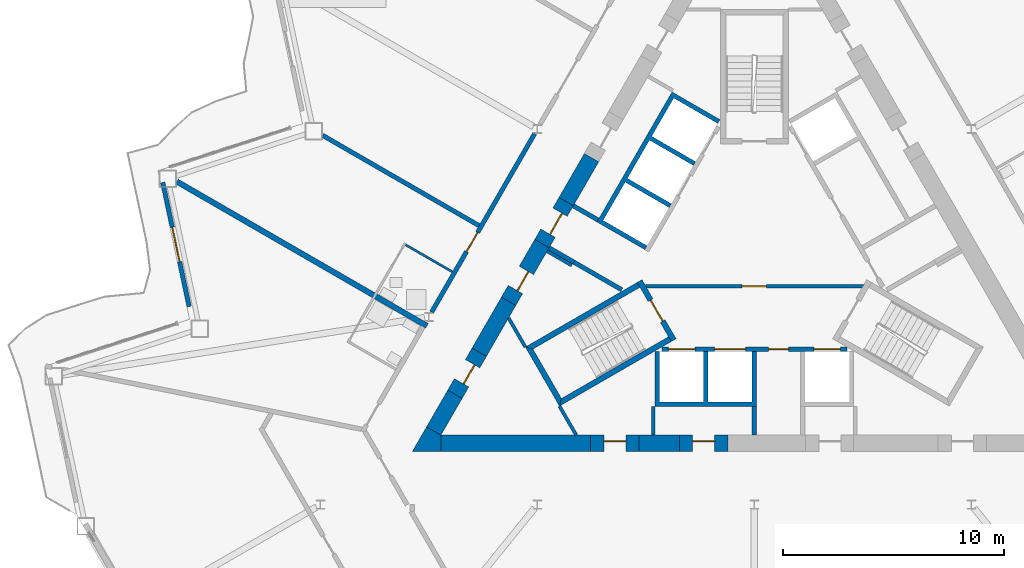
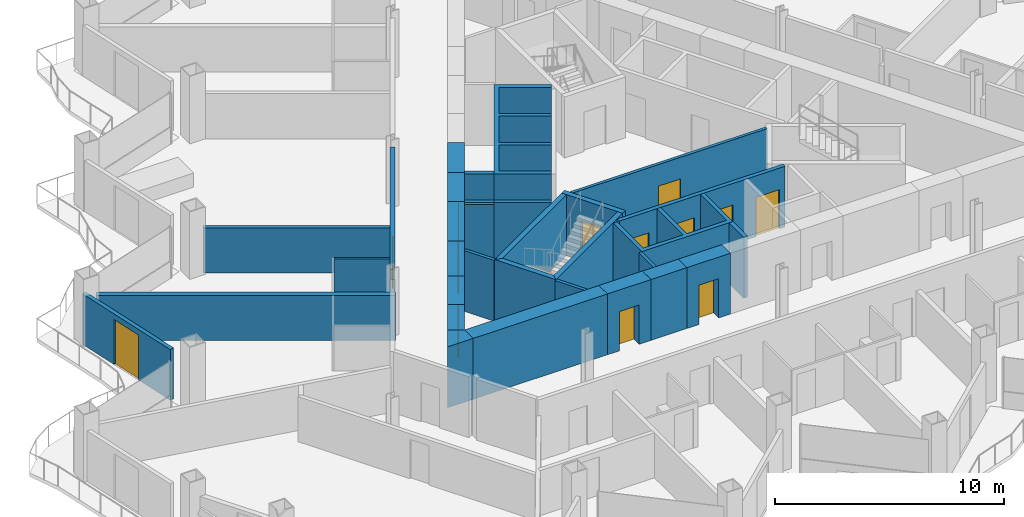
# One storey, part 11 of 23: 32 walls, 13 doors, 13 openings.
"""IFC4 building model written with IfcOpenShell, lengths in metres."""

from ifc_helpers import new_model, si_unit, direction, frame, frame_2d, origin, place, context, subcontext, project, spatial, polyline, rectangle, outline, extrude, material, layer, layer_set, type_object, element, fill, save


model = new_model("IFC4")

# Units and contexts
model_context = context("Model", 3, precision=1e-05, world=origin(), true_north=direction((0.0, 1.0)))
body_context = subcontext(model_context, "Body", "Model", "MODEL_VIEW")
ifc_project = project(units=[si_unit("LENGTHUNIT", "METRE"), si_unit("AREAUNIT", "SQUARE_METRE"), si_unit("VOLUMEUNIT", "CUBIC_METRE"), si_unit("PLANEANGLEUNIT", "RADIAN"), si_unit("MASSUNIT", "GRAM", prefix="KILO")], contexts=[model_context])

# Site, building, storey
site_placement = place(None, origin())
site = spatial("IfcSite", under=ifc_project, at=site_placement, CompositionType="ELEMENT")
building_placement = place(site_placement, origin())
building = spatial("IfcBuilding", under=site, at=building_placement, Name="Cormorant Prow Tower", CompositionType="ELEMENT")
storey_placement = place(building_placement, frame((0.0, 0.0, 176.39990234375)))
storey = spatial("IfcBuildingStorey", under=building, at=storey_placement, Name="L37", CompositionType="ELEMENT", Elevation=176.39990234375)

# Wall, opening, door
ifc_material_1 = material(Name="Gypsum board partition")
ifc_layer_1 = layer(ifc_material_1, 0.14990234375)
ifc_layer_set_1 = layer_set([ifc_layer_1], Name="Gypsum board partition")
wall_type_1 = type_object("IfcWallType", Name="Core partition 150", PredefinedType="PARTITIONING", material=ifc_layer_set_1)
wall_1_placement = place(storey_placement, frame((-4.941162109375, -1.449951171875, 0.0), z_axis=(0.0, 0.0, 1.0), x_axis=(1.0, 0.0, 0.0)))
wall_1 = element("IfcWall", 1, at=wall_1_placement, inside=storey, type_object=wall_type_1, Name="Firefighting lobby partition", PredefinedType="PARTITIONING", context=body_context, shape_type="SweptSolid", body=[
    extrude(rectangle(XDim=9.88232421875, YDim=0.14990234375, at=frame_2d((4.941162109375, 0.0))), origin(), (0.0, 0.0, 1.0), 3.25),
])
opening_1_placement = place(wall_1_placement, frame((4.39111328125, 0.0, 0.0)))
opening_1 = element("IfcOpeningElement", 2, at=opening_1_placement, cuts=wall_1, Name="Opening L37-C10", PredefinedType="OPENING", context=body_context, shape_type="SweptSolid", body=[
    extrude(rectangle(XDim=1.10009765625, YDim=2.10009765625, at=frame_2d((0.550048828125, 1.050048828125))), frame((0.0, 0.0849609375, 0.0), z_axis=(0.0, -1.0, 0.0), x_axis=(1.0, 0.0, 0.0)), (0.0, 0.0, 1.0), 0.169921875),
])
ifc_material_2 = material(Name="Painted steel", Category="steel")
door_type_1 = type_object("IfcDoorType", Name="Firefighting lobby door 1100x2100", OperationType="NOTDEFINED", PredefinedType="DOOR", material=ifc_material_2)
door_1_placement = place(opening_1_placement, origin())
door_1 = element("IfcDoor", 3, at=door_1_placement, inside=storey, type_object=door_type_1, Name="Firefighting lobby door", OperationType="SINGLE_SWING_RIGHT", OverallHeight=2.10009765625, OverallWidth=1.10009765625, PredefinedType="DOOR", context=body_context, shape_type="SweptSolid", body=[
    extrude(rectangle(XDim=1.10009765625, YDim=2.10009765625, at=frame_2d((0.550048828125, 1.050048828125))), frame((0.0, 0.02490234375, 0.0), z_axis=(0.0, -1.0, 0.0), x_axis=(1.0, 0.0, 0.0)), (0.0, 0.0, 1.0), 0.050048828125),
])
fill(opening_1, door_1)

# Walls
for number, where, z_axis, x_axis, name in (
    (4, (-4.574951171875, -6.906005859375, 0.0), (0.0, 0.0, 1.0), (0.0, -1.0, 0.0), "Service room partition"),
    (5, (-8.268310546875, -0.509033203125, 0.0), (0.0, 0.0, 1.0), (-0.866003189247, 0.500038474733, 0.0), "Service room partition"),
):
    element("IfcWall", number, at=place(storey_placement, frame(where, z_axis=z_axis, x_axis=x_axis)), inside=storey, type_object=wall_type_1, Name=name, PredefinedType="PARTITIONING", context=body_context, shape_type="SweptSolid", body=[
        extrude(rectangle(XDim=1.29296875, YDim=0.14990234375, at=frame_2d((0.646484375, 0.0))), origin(), (0.0, 0.0, 1.0), 3.25),
    ])
for number, where, z_axis, x_axis, name in (
    (6, (-8.82958984375, -6.880615234375, 0.0), (0.0, 0.0, 1.0), (0.500037110984, -0.866003976688, 0.0), "Service room partition"),
    (7, (-10.37353515625, -4.206298828125, 0.0), (0.0, 0.0, 1.0), (-0.500037110984, 0.866003976688, 0.0), "Service room partition"),
):
    element("IfcWall", number, at=place(storey_placement, frame(where, z_axis=z_axis, x_axis=x_axis)), inside=storey, type_object=wall_type_1, Name=name, PredefinedType="PARTITIONING", context=body_context, shape_type="SweptSolid", body=[
        extrude(rectangle(XDim=1.5224609375, YDim=0.14990234375, at=frame_2d((0.76123046875, 0.0))), origin(), (0.0, 0.0, 1.0), 3.25),
    ])
ifc_material_3 = material(Name="Concrete 8000 psi", Category="concrete")
ifc_layer_2 = layer(ifc_material_3, 0.75)
ifc_layer_set_2 = layer_set([ifc_layer_2], Name="Concrete 8000 psi")
wall_type_2 = type_object("IfcWallType", Name="Core shear wall 750", PredefinedType="SHEAR", material=ifc_layer_set_2)
wall_2_placement = place(storey_placement, frame((-14.200927734375, -8.573974609375, 0.0), z_axis=(0.0, 0.0, 1.0), x_axis=(1.0, 0.0, 0.0)))
element("IfcWall", 8, at=wall_2_placement, inside=storey, type_object=wall_type_2, Name="Core wall", PredefinedType="SHEAR", context=body_context, shape_type="SweptSolid", body=[
    extrude(rectangle(XDim=6.784912109375, YDim=0.75, at=frame_2d((3.392578125, 0.0))), origin(), (0.0, 0.0, 1.0), 3.25),
])
wall_3_placement = place(storey_placement, frame((-5.2158203125, -8.573974609375, 0.0), z_axis=(0.0, 0.0, 1.0), x_axis=(1.0, 0.0, 0.0)))
element("IfcWall", 9, at=wall_3_placement, inside=storey, type_object=wall_type_2, Name="Core wall", PredefinedType="SHEAR", context=body_context, shape_type="SweptSolid", body=[
    extrude(rectangle(XDim=1.81591796875, YDim=0.75, at=frame_2d((0.907958984375, 0.0))), origin(), (0.0, 0.0, 1.0), 3.25),
])
wall_4_placement = place(storey_placement, frame((-11.13330078125, -2.135498046875, 0.0), z_axis=(0.0, 0.0, 1.0), x_axis=(-0.499936812382, -0.866061882099, 0.0)))
element("IfcWall", 10, at=wall_4_placement, inside=storey, type_object=wall_type_2, Name="Core wall", PredefinedType="SHEAR", context=body_context, shape_type="SweptSolid", body=[
    extrude(rectangle(XDim=2.661865234375, YDim=0.75, at=frame_2d((1.3310546875, 0.0))), origin(), (0.0, 0.0, 1.0), 3.25),
])
wall_5_placement = place(storey_placement, frame((-7.375244140625, 4.37353515625, 0.0), z_axis=(0.0, 0.0, 1.0), x_axis=(-0.499952165731, -0.866053019151, 0.0)))
element("IfcWall", 11, at=wall_5_placement, inside=storey, type_object=wall_type_2, Name="Core wall", PredefinedType="SHEAR", context=body_context, shape_type="SweptSolid", body=[
    extrude(rectangle(XDim=2.300048828125, YDim=0.75, at=frame_2d((1.14990234375, 0.0))), origin(), (0.0, 0.0, 1.0), 3.25),
])
wall_6_placement = place(storey_placement, frame((-13.564208984375, -6.34619140625, 0.0), z_axis=(0.0, 0.0, 1.0), x_axis=(-0.499989888488, -0.86603124159, 0.0)))
element("IfcWall", 12, at=wall_6_placement, inside=storey, type_object=wall_type_2, Name="Core wall", PredefinedType="SHEAR", context=body_context, shape_type="SweptSolid", body=[
    extrude(rectangle(XDim=1.9228515625, YDim=0.75, at=frame_2d((0.96142578125, 0.0))), origin(), (0.0, 0.0, 1.0), 3.25),
])
wall_7_placement = place(storey_placement, origin())
element("IfcWall", 13, at=wall_7_placement, inside=storey, type_object=wall_type_2, Name="Core wall corner", PredefinedType="SHEAR", context=body_context, shape_type="SweptSolid", body=[
    extrude(outline(polyline([(-14.8505859375, -7.823974609375), (-14.200927734375, -8.198974609375), (-14.200927734375, -8.948974609375), (-15.5, -8.948974609375), (-14.8505859375, -7.823974609375)])), origin(), (0.0, 0.0, 1.0), 3.25),
])

# Wall, opening, door
wall_8_placement = place(storey_placement, frame((-3.39990234375, -8.573974609375, 0.0), z_axis=(0.0, 0.0, 1.0), x_axis=(1.0, 0.0, 0.0)))
wall_8 = element("IfcWall", 14, at=wall_8_placement, inside=storey, type_object=wall_type_2, Name="Core wall door panel", PredefinedType="SHEAR", context=body_context, shape_type="SweptSolid", body=[
    extrude(rectangle(XDim=2.199951171875, YDim=0.75, at=frame_2d((1.10009765625, 0.0))), origin(), (0.0, 0.0, 1.0), 3.25),
])
opening_2_placement = place(wall_8_placement, frame((0.60009765625, 0.0, 0.0)))
opening_2 = element("IfcOpeningElement", 15, at=opening_2_placement, cuts=wall_8, Name="Opening L37-C14", PredefinedType="OPENING", context=body_context, shape_type="SweptSolid", body=[
    extrude(rectangle(XDim=1.0, YDim=2.10009765625, at=frame_2d((0.5, 1.050048828125))), frame((0.0, 0.385009765625, 0.0), z_axis=(0.0, -1.0, 0.0), x_axis=(1.0, 0.0, 0.0)), (0.0, 0.0, 1.0), 0.77001953125),
])
ifc_material_4 = material(Name="Painted steel", Category="steel")
door_type_2 = type_object("IfcDoorType", Name="Service door 1000x2100", OperationType="NOTDEFINED", PredefinedType="DOOR", material=ifc_material_4)
door_2_placement = place(opening_2_placement, origin())
door_2 = element("IfcDoor", 16, at=door_2_placement, inside=storey, type_object=door_type_2, Name="Core door, Electrical room", OperationType="SINGLE_SWING_LEFT", OverallHeight=2.10009765625, OverallWidth=1.0, PredefinedType="DOOR", context=body_context, shape_type="SweptSolid", body=[
    extrude(rectangle(XDim=1.0, YDim=2.10009765625, at=frame_2d((0.5, 1.050048828125))), frame((0.0, 0.1298828125, 0.0), z_axis=(0.0, -1.0, 0.0), x_axis=(1.0, 0.0, 0.0)), (0.0, 0.0, 1.0), 0.050048828125),
])
fill(opening_2, door_2)

wall_9_placement = place(storey_placement, frame((-12.46435546875, -4.44091796875, 0.0), z_axis=(0.0, 0.0, 1.0), x_axis=(-0.499994660107, -0.866028486751, 0.0)))
wall_9 = element("IfcWall", 17, at=wall_9_placement, inside=storey, type_object=wall_type_2, Name="Core wall door panel", PredefinedType="SHEAR", context=body_context, shape_type="SweptSolid", body=[
    extrude(rectangle(XDim=2.19970703125, YDim=0.75, at=frame_2d((1.099853515625, 0.0))), origin(), (0.0, 0.0, 1.0), 3.25),
])
opening_3_placement = place(wall_9_placement, frame((0.60009765625, 0.0, 0.0)))
opening_3 = element("IfcOpeningElement", 18, at=opening_3_placement, cuts=wall_9, Name="Opening L37-C16", PredefinedType="OPENING", context=body_context, shape_type="SweptSolid", body=[
    extrude(rectangle(XDim=1.0, YDim=2.10009765625, at=frame_2d((0.5, 1.050048828125))), frame((0.0, 0.385009765625, 0.0), z_axis=(0.0, -1.0, 0.0), x_axis=(1.0, 0.0, 0.0)), (0.0, 0.0, 1.0), 0.77001953125),
])
door_3_placement = place(opening_3_placement, origin())
door_3 = element("IfcDoor", 19, at=door_3_placement, inside=storey, type_object=door_type_2, Name="Core door, Mechanical riser room", OperationType="SINGLE_SWING_LEFT", OverallHeight=2.10009765625, OverallWidth=1.0, PredefinedType="DOOR", context=body_context, shape_type="SweptSolid", body=[
    extrude(rectangle(XDim=1.0, YDim=2.10009765625, at=frame_2d((0.5, 1.050048828125))), frame((0.0, 0.1298828125, 0.0), z_axis=(0.0, -1.0, 0.0), x_axis=(1.0, 0.0, 0.0)), (0.0, 0.0, 1.0), 0.050048828125),
])
fill(opening_3, door_3)

wall_10_placement = place(storey_placement, frame((-9.625244140625, 0.4765625, 0.0), z_axis=(0.0, 0.0, 1.0), x_axis=(-0.499995718215, -0.86602787586, 0.0)))
wall_10 = element("IfcWall", 20, at=wall_10_placement, inside=storey, type_object=wall_type_2, Name="Core wall door panel", PredefinedType="SHEAR", context=body_context, shape_type="SweptSolid", body=[
    extrude(rectangle(XDim=3.01611328125, YDim=0.75, at=frame_2d((1.508056640625, 0.0))), origin(), (0.0, 0.0, 1.0), 3.25),
])
opening_4_placement = place(wall_10_placement, frame((1.39990234375, 0.0, 0.0)))
opening_4 = element("IfcOpeningElement", 21, at=opening_4_placement, cuts=wall_10, Name="Opening L37-C21", PredefinedType="OPENING", context=body_context, shape_type="SweptSolid", body=[
    extrude(rectangle(XDim=1.0, YDim=2.10009765625, at=frame_2d((0.5, 1.050048828125))), frame((0.0, 0.385009765625, 0.0), z_axis=(0.0, -1.0, 0.0), x_axis=(1.0, 0.0, 0.0)), (0.0, 0.0, 1.0), 0.77001953125),
])
door_4_placement = place(opening_4_placement, origin())
door_4 = element("IfcDoor", 22, at=door_4_placement, inside=storey, type_object=door_type_2, Name="Core door, Mechanical riser room", OperationType="SINGLE_SWING_LEFT", OverallHeight=2.10009765625, OverallWidth=1.0, PredefinedType="DOOR", context=body_context, shape_type="SweptSolid", body=[
    extrude(rectangle(XDim=1.0, YDim=2.10009765625, at=frame_2d((0.5, 1.050048828125))), frame((0.0, 0.1298828125, 0.0), z_axis=(0.0, -1.0, 0.0), x_axis=(1.0, 0.0, 0.0)), (0.0, 0.0, 1.0), 0.050048828125),
])
fill(opening_4, door_4)

wall_11_placement = place(storey_placement, frame((-7.416015625, -8.573974609375, 0.0), z_axis=(0.0, 0.0, 1.0), x_axis=(1.0, 0.0, 0.0)))
wall_11 = element("IfcWall", 23, at=wall_11_placement, inside=storey, type_object=wall_type_2, Name="Core wall door panel", PredefinedType="SHEAR", context=body_context, shape_type="SweptSolid", body=[
    extrude(rectangle(XDim=2.2001953125, YDim=0.75, at=frame_2d((1.10009765625, 0.0))), origin(), (0.0, 0.0, 1.0), 3.25),
])
opening_5_placement = place(wall_11_placement, frame((0.60009765625, 0.0, 0.0)))
opening_5 = element("IfcOpeningElement", 24, at=opening_5_placement, cuts=wall_11, Name="Opening L37-C22", PredefinedType="OPENING", context=body_context, shape_type="SweptSolid", body=[
    extrude(rectangle(XDim=1.0, YDim=2.10009765625, at=frame_2d((0.5, 1.050048828125))), frame((0.0, 0.385009765625, 0.0), z_axis=(0.0, -1.0, 0.0), x_axis=(1.0, 0.0, 0.0)), (0.0, 0.0, 1.0), 0.77001953125),
])
door_5_placement = place(opening_5_placement, origin())
door_5 = element("IfcDoor", 25, at=door_5_placement, inside=storey, type_object=door_type_2, Name="Core door, Mechanical riser room", OperationType="SINGLE_SWING_LEFT", OverallHeight=2.10009765625, OverallWidth=1.0, PredefinedType="DOOR", context=body_context, shape_type="SweptSolid", body=[
    extrude(rectangle(XDim=1.0, YDim=2.10009765625, at=frame_2d((0.5, 1.050048828125))), frame((0.0, 0.1298828125, 0.0), z_axis=(0.0, -1.0, 0.0), x_axis=(1.0, 0.0, 0.0)), (0.0, 0.0, 1.0), 0.050048828125),
])
fill(opening_5, door_5)

wall_12_placement = place(storey_placement, frame((-8.525146484375, 2.381591796875, 0.0), z_axis=(0.0, 0.0, 1.0), x_axis=(-0.500077893725, -0.86598042715, 0.0)))
wall_12 = element("IfcWall", 26, at=wall_12_placement, inside=storey, type_object=wall_type_2, Name="Core wall door panel", PredefinedType="SHEAR", context=body_context, shape_type="SweptSolid", body=[
    extrude(rectangle(XDim=2.199951171875, YDim=0.75, at=frame_2d((1.10009765625, 0.0))), origin(), (0.0, 0.0, 1.0), 3.25),
])
opening_6_placement = place(wall_12_placement, frame((0.550048828125, 0.0, 0.0)))
opening_6 = element("IfcOpeningElement", 27, at=opening_6_placement, cuts=wall_12, Name="Opening L37-C25", PredefinedType="OPENING", context=body_context, shape_type="SweptSolid", body=[
    extrude(rectangle(XDim=1.10009765625, YDim=2.10009765625, at=frame_2d((0.550048828125, 1.050048828125))), frame((0.0, 0.385009765625, 0.0), z_axis=(0.0, -1.0, 0.0), x_axis=(1.0, 0.0, 0.0)), (0.0, 0.0, 1.0), 0.77001953125),
])
ifc_material_5 = material(Name="Painted steel", Category="steel")
door_type_3 = type_object("IfcDoorType", Name="Core door 1100x2100", OperationType="NOTDEFINED", PredefinedType="DOOR", material=ifc_material_5)
door_6_placement = place(opening_6_placement, origin())
door_6 = element("IfcDoor", 28, at=door_6_placement, inside=storey, type_object=door_type_3, Name="Core door, lift lobby", OperationType="SINGLE_SWING_RIGHT", OverallHeight=2.10009765625, OverallWidth=1.10009765625, PredefinedType="DOOR", context=body_context, shape_type="SweptSolid", body=[
    extrude(rectangle(XDim=1.10009765625, YDim=2.10009765625, at=frame_2d((0.550048828125, 1.050048828125))), frame((0.0, 0.1298828125, 0.0), z_axis=(0.0, -1.0, 0.0), x_axis=(1.0, 0.0, 0.0)), (0.0, 0.0, 1.0), 0.050048828125),
])
fill(opening_6, door_6)

ifc_material_6 = material(Name="Gypsum board corridor wall")
ifc_layer_3 = layer(ifc_material_6, 0.199951171875)
ifc_layer_set_3 = layer_set([ifc_layer_3], Name="Gypsum board corridor wall")
wall_type_3 = type_object("IfcWallType", Name="Corridor wall 200", PredefinedType="PARTITIONING", material=ifc_layer_set_3)
wall_13_placement = place(storey_placement, frame((-14.619384765625, -2.62353515625, 0.0), z_axis=(0.0, 0.0, 1.0), x_axis=(0.50000393355, 0.866023132736, 0.0)))
wall_13 = element("IfcWall", 29, at=wall_13_placement, inside=storey, type_object=wall_type_3, Name="Corridor wall", PredefinedType="PARTITIONING", context=body_context, shape_type="SweptSolid", body=[
    extrude(rectangle(XDim=9.3349609375, YDim=0.199951171875, at=frame_2d((4.66748046875, 0.0))), origin(), (0.0, 0.0, 1.0), 3.25),
])
opening_7_placement = place(wall_13_placement, frame((3.1630859375, 0.0, 0.0)))
opening_7 = element("IfcOpeningElement", 30, at=opening_7_placement, cuts=wall_13, Name="Opening L37-F29", PredefinedType="OPENING", context=body_context, shape_type="SweptSolid", body=[
    extrude(rectangle(XDim=1.0, YDim=2.10009765625, at=frame_2d((0.5, 1.050048828125))), frame((0.0, 0.10986328125, 0.0), z_axis=(0.0, -1.0, 0.0), x_axis=(1.0, 0.0, 0.0)), (0.0, 0.0, 1.0), 0.219970703125),
])
ifc_material_7 = material(Name="Timber door leaf", Category="wood")
door_type_4 = type_object("IfcDoorType", Name="Flat or room entrance door 1000x2100", OperationType="NOTDEFINED", PredefinedType="DOOR", material=ifc_material_7)
door_7_placement = place(opening_7_placement, origin())
door_7 = element("IfcDoor", 31, at=door_7_placement, inside=storey, type_object=door_type_4, Name="Guest room door", OperationType="SINGLE_SWING_RIGHT", OverallHeight=2.10009765625, OverallWidth=1.0, PredefinedType="DOOR", context=body_context, shape_type="SweptSolid", body=[
    extrude(rectangle(XDim=1.0, YDim=2.10009765625, at=frame_2d((0.5, 1.050048828125))), frame((0.0, 0.02490234375, 0.0), z_axis=(0.0, -1.0, 0.0), x_axis=(1.0, 0.0, 0.0)), (0.0, 0.0, 1.0), 0.050048828125),
])
fill(opening_7, door_7)

# Walls
ifc_material_8 = material(Name="Gypsum board demising wall")
ifc_layer_4 = layer(ifc_material_8, 0.199951171875)
ifc_layer_set_4 = layer_set([ifc_layer_4], Name="Gypsum board demising wall")
wall_type_4 = type_object("IfcWallType", Name="Demising wall 200", PredefinedType="PARTITIONING", material=ifc_layer_set_4)
wall_14_placement = place(storey_placement, frame((-19.5546875, 5.3828125, 0.0), z_axis=(0.0, 0.0, 1.0), x_axis=(0.866027979776, -0.499995538225, 0.0)))
element("IfcWall", 32, at=wall_14_placement, inside=storey, type_object=wall_type_4, Name="Demising wall", PredefinedType="PARTITIONING", context=body_context, shape_type="SweptSolid", body=[
    extrude(rectangle(XDim=8.17724609375, YDim=0.199951171875, at=frame_2d((4.088623046875, 0.0))), origin(), (0.0, 0.0, 1.0), 2.404296875),
])
ifc_material_9 = material(Name="Gypsum board partition")
ifc_layer_5 = layer(ifc_material_9, 0.10009765625)
ifc_layer_set_5 = layer_set([ifc_layer_5], Name="Gypsum board partition")
wall_type_5 = type_object("IfcWallType", Name="Internal partition 100", PredefinedType="PARTITIONING", material=ifc_layer_set_5)
wall_15_placement = place(storey_placement, frame((-15.802490234375, 0.427001953125, 0.0), z_axis=(0.0, 0.0, 1.0), x_axis=(0.866032905446, -0.499987006516, 0.0)))
element("IfcWall", 33, at=wall_15_placement, inside=storey, type_object=wall_type_5, Name="Internal partition", PredefinedType="PARTITIONING", context=body_context, shape_type="SweptSolid", body=[
    extrude(rectangle(XDim=2.44970703125, YDim=0.10009765625, at=frame_2d((1.224853515625, 0.0))), origin(), (0.0, 0.0, 1.0), 2.404296875),
])

# Wall, openings, doors
ifc_material_10 = material(Name="Concrete 5000 psi", Category="concrete")
ifc_layer_6 = layer(ifc_material_10, 0.199951171875)
ifc_layer_set_6 = layer_set([ifc_layer_6], Name="Concrete 5000 psi")
wall_type_6 = type_object("IfcWallType", Name="Lift lobby wall 200", PredefinedType="SOLIDWALL", material=ifc_layer_set_6)
wall_16_placement = place(storey_placement, frame((-4.1865234375, -4.300048828125, 0.0), z_axis=(0.0, 0.0, 1.0), x_axis=(1.0, 0.0, 0.0)))
wall_16 = element("IfcWall", 34, at=wall_16_placement, inside=storey, type_object=wall_type_6, Name="Lift lobby wall, S block", PredefinedType="SOLIDWALL", context=body_context, shape_type="SweptSolid", body=[
    extrude(rectangle(XDim=8.373046875, YDim=0.199951171875, at=frame_2d((4.1865234375, 0.0))), origin(), (0.0, 0.0, 1.0), 3.25),
])
opening_8_placement = place(wall_16_placement, frame((0.28662109375, 0.0, 0.0)))
opening_8 = element("IfcOpeningElement", 35, at=opening_8_placement, cuts=wall_16, Name="Opening L37-C01", PredefinedType="OPENING", context=body_context, shape_type="SweptSolid", body=[
    extrude(rectangle(XDim=1.199951171875, YDim=2.10009765625, at=frame_2d((0.60009765625, 1.050048828125))), frame((0.0, 0.10986328125, 0.0), z_axis=(0.0, -1.0, 0.0), x_axis=(1.0, 0.0, 0.0)), (0.0, 0.0, 1.0), 0.219970703125),
])
opening_9_placement = place(wall_16_placement, frame((2.38671875, 0.0, 0.0)))
opening_9 = element("IfcOpeningElement", 36, at=opening_9_placement, cuts=wall_16, Name="Opening L37-C02", PredefinedType="OPENING", context=body_context, shape_type="SweptSolid", body=[
    extrude(rectangle(XDim=1.39990234375, YDim=2.10009765625, at=frame_2d((0.699951171875, 1.050048828125))), frame((0.0, 0.10986328125, 0.0), z_axis=(0.0, -1.0, 0.0), x_axis=(1.0, 0.0, 0.0)), (0.0, 0.0, 1.0), 0.219970703125),
])
opening_10_placement = place(wall_16_placement, frame((4.836669921875, 0.0, 0.0)))
opening_10 = element("IfcOpeningElement", 37, at=opening_10_placement, cuts=wall_16, Name="Opening L37-C03", PredefinedType="OPENING", context=body_context, shape_type="SweptSolid", body=[
    extrude(rectangle(XDim=0.89990234375, YDim=2.10009765625, at=frame_2d((0.449951171875, 1.050048828125))), frame((0.0, 0.10986328125, 0.0), z_axis=(0.0, -1.0, 0.0), x_axis=(1.0, 0.0, 0.0)), (0.0, 0.0, 1.0), 0.219970703125),
])
opening_11_placement = place(wall_16_placement, frame((6.88671875, 0.0, 0.0)))
opening_11 = element("IfcOpeningElement", 38, at=opening_11_placement, cuts=wall_16, Name="Opening L37-C04", PredefinedType="OPENING", context=body_context, shape_type="SweptSolid", body=[
    extrude(rectangle(XDim=1.199951171875, YDim=2.10009765625, at=frame_2d((0.60009765625, 1.050048828125))), frame((0.0, 0.10986328125, 0.0), z_axis=(0.0, -1.0, 0.0), x_axis=(1.0, 0.0, 0.0)), (0.0, 0.0, 1.0), 0.219970703125),
])
ifc_material_11 = material(Name="Painted steel", Category="steel")
door_type_5 = type_object("IfcDoorType", Name="Firefighting lift landing door 1200x2100", OperationType="SLIDING_TO_LEFT", PredefinedType="DOOR", material=ifc_material_11)
door_8_placement = place(opening_8_placement, origin())
door_8 = element("IfcDoor", 39, at=door_8_placement, inside=storey, type_object=door_type_5, Name="Landing door FL1", OperationType="SLIDING_TO_LEFT", OverallHeight=2.10009765625, OverallWidth=1.199951171875, PredefinedType="DOOR", context=body_context, shape_type="SweptSolid", body=[
    extrude(rectangle(XDim=1.199951171875, YDim=2.10009765625, at=frame_2d((0.60009765625, 1.050048828125))), frame((0.0, 0.02490234375, 0.0), z_axis=(0.0, -1.0, 0.0), x_axis=(1.0, 0.0, 0.0)), (0.0, 0.0, 1.0), 0.050048828125),
])
fill(opening_8, door_8)
door_9_placement = place(opening_11_placement, origin())
door_9 = element("IfcDoor", 40, at=door_9_placement, inside=storey, type_object=door_type_5, Name="Landing door FL2", OperationType="SLIDING_TO_LEFT", OverallHeight=2.10009765625, OverallWidth=1.199951171875, PredefinedType="DOOR", context=body_context, shape_type="SweptSolid", body=[
    extrude(rectangle(XDim=1.199951171875, YDim=2.10009765625, at=frame_2d((0.60009765625, 1.050048828125))), frame((0.0, 0.02490234375, 0.0), z_axis=(0.0, -1.0, 0.0), x_axis=(1.0, 0.0, 0.0)), (0.0, 0.0, 1.0), 0.050048828125),
])
fill(opening_11, door_9)
ifc_material_12 = material(Name="Painted steel", Category="steel")
door_type_6 = type_object("IfcDoorType", Name="Service door 900x2100", OperationType="NOTDEFINED", PredefinedType="DOOR", material=ifc_material_12)
door_10_placement = place(opening_10_placement, origin())
door_10 = element("IfcDoor", 41, at=door_10_placement, inside=storey, type_object=door_type_6, Name="Service door, Electrical room", OperationType="SINGLE_SWING_RIGHT", OverallHeight=2.10009765625, OverallWidth=0.89990234375, PredefinedType="DOOR", context=body_context, shape_type="SweptSolid", body=[
    extrude(rectangle(XDim=0.89990234375, YDim=2.10009765625, at=frame_2d((0.449951171875, 1.050048828125))), frame((0.0, 0.02490234375, 0.0), z_axis=(0.0, -1.0, 0.0), x_axis=(1.0, 0.0, 0.0)), (0.0, 0.0, 1.0), 0.050048828125),
])
fill(opening_10, door_10)
ifc_material_13 = material(Name="Painted steel", Category="steel")
door_type_7 = type_object("IfcDoorType", Name="Service lift landing door 1400x2100", OperationType="SLIDING_TO_LEFT", PredefinedType="DOOR", material=ifc_material_13)
door_11_placement = place(opening_9_placement, origin())
door_11 = element("IfcDoor", 42, at=door_11_placement, inside=storey, type_object=door_type_7, Name="Landing door SL1", OperationType="SLIDING_TO_LEFT", OverallHeight=2.10009765625, OverallWidth=1.39990234375, PredefinedType="DOOR", context=body_context, shape_type="SweptSolid", body=[
    extrude(rectangle(XDim=1.39990234375, YDim=2.10009765625, at=frame_2d((0.699951171875, 1.050048828125))), frame((0.0, 0.02490234375, 0.0), z_axis=(0.0, -1.0, 0.0), x_axis=(1.0, 0.0, 0.0)), (0.0, 0.0, 1.0), 0.050048828125),
])
fill(opening_9, door_11)

# Walls
ifc_material_14 = material(Name="Concrete 8000 psi", Category="concrete")
ifc_layer_7 = layer(ifc_material_14, 0.199951171875)
ifc_layer_set_7 = layer_set([ifc_layer_7], Name="Concrete 8000 psi")
wall_type_7 = type_object("IfcWallType", Name="Lift shaft wall 200", PredefinedType="SHEAR", material=ifc_layer_set_7)
wall_17_placement = place(storey_placement, origin())
element("IfcWall", 43, at=wall_17_placement, inside=storey, type_object=wall_type_7, Name="Lift shaft walls, S block", PredefinedType="SHEAR", context=body_context, shape_type="SweptSolid", body=[
    extrude(outline(polyline([(0.10009765625, -4.39990234375), (0.10009765625, -6.906005859375), (-4.5, -6.906005859375), (-4.5, -4.39990234375), (-4.300048828125, -4.39990234375), (-4.300048828125, -6.699951171875), (-2.300048828125, -6.699951171875), (-2.300048828125, -4.39990234375), (-2.10009765625, -4.39990234375), (-2.10009765625, -6.699951171875), (-0.10009765625, -6.699951171875), (-0.10009765625, -4.39990234375), (0.10009765625, -4.39990234375)])), origin(), (0.0, 0.0, 1.0), 3.25),
])
wall_18_placement = place(storey_placement, frame((0.0, -6.906005859375, 0.0), z_axis=(0.0, 0.0, 1.0), x_axis=(0.0, -1.0, 0.0)))
element("IfcWall", 44, at=wall_18_placement, inside=storey, type_object=wall_type_7, Name="Store side wall", PredefinedType="SHEAR", context=body_context, shape_type="SweptSolid", body=[
    extrude(rectangle(XDim=1.29296875, YDim=0.199951171875, at=frame_2d((0.646484375, 0.0))), origin(), (0.0, 0.0, 1.0), 3.25),
])
wall_19_placement = place(storey_placement, origin())
element("IfcWall", 45, at=wall_19_placement, inside=storey, type_object=wall_type_7, Name="Lift shaft walls, WNW block", PredefinedType="SHEAR", context=body_context, shape_type="SweptSolid", body=[
    extrude(outline(polyline([(-6.060546875, -1.697021484375), (-8.230712890625, -0.444091796875), (-8.130859375, -0.27099609375), (-5.96044921875, -1.52392578125), (-6.060546875, -1.697021484375)])), origin(), (0.0, 0.0, 1.0), 3.25),
])
wall_20_placement = place(storey_placement, origin())
element("IfcWall", 46, at=wall_20_placement, inside=storey, type_object=wall_type_7, Name="Lift shaft walls, WNW block", PredefinedType="SHEAR", context=body_context, shape_type="SweptSolid", body=[
    extrude(outline(polyline([(-4.96044921875, 0.2080078125), (-7.130859375, 1.461181640625), (-3.730712890625, 7.35009765625), (-1.560546875, 6.09716796875), (-1.660400390625, 5.923828125), (-3.65234375, 7.073974609375), (-4.65234375, 5.341796875), (-2.660400390625, 4.19189453125), (-2.760498046875, 4.018798828125), (-4.75244140625, 5.168701171875), (-5.75244140625, 3.4365234375), (-3.760498046875, 2.28662109375), (-3.860595703125, 2.11328125), (-5.852294921875, 3.263427734375), (-6.852294921875, 1.53125), (-4.860595703125, 0.38134765625), (-4.96044921875, 0.2080078125)])), origin(), (0.0, 0.0, 1.0), 3.25),
])
for number, where, z_axis, x_axis, name in (
    (47, (-7.080810546875, 1.547607421875, 0.0), (0.0, 0.0, 1.0), (-0.866003189247, 0.500038474733, 0.0), "Lobby passage wall"),
    (48, (-8.180908203125, -0.357421875, 0.0), (0.0, 0.0, 1.0), (-0.866003189247, 0.500038474733, 0.0), "Lobby passage wall"),
):
    element("IfcWall", number, at=place(storey_placement, frame(where, z_axis=z_axis, x_axis=x_axis)), inside=storey, type_object=wall_type_7, Name=name, PredefinedType="SHEAR", context=body_context, shape_type="SweptSolid", body=[
        extrude(rectangle(XDim=1.29296875, YDim=0.199951171875, at=frame_2d((0.646484375, 0.0))), origin(), (0.0, 0.0, 1.0), 3.25),
    ])
ifc_material_15 = material(Name="Concrete 8000 psi", Category="concrete")
ifc_layer_8 = layer(ifc_material_15, 0.25)
ifc_layer_set_8 = layer_set([ifc_layer_8], Name="Concrete 8000 psi")
wall_type_8 = type_object("IfcWallType", Name="Stair wall 250", PredefinedType="SHEAR", material=ifc_layer_set_8)
wall_21_placement = place(storey_placement, origin())
element("IfcWall", 49, at=wall_21_placement, inside=storey, type_object=wall_type_8, Name="Stair ST1 enclosure wall (flank)", PredefinedType="SHEAR", context=body_context, shape_type="SweptSolid", body=[
    extrude(outline(polyline([(-5.30712890625, -1.28125), (-10.37353515625, -4.206298828125), (-10.031982421875, -4.2978515625), (-5.18212890625, -1.497802734375), (-5.30712890625, -1.28125)])), origin(), (0.0, 0.0, 1.0), 3.25),
])
wall_22_placement = place(storey_placement, origin())
element("IfcWall", 50, at=wall_22_placement, inside=storey, type_object=wall_type_8, Name="Stair ST1 enclosure wall (end)", PredefinedType="SHEAR", context=body_context, shape_type="SweptSolid", body=[
    extrude(outline(polyline([(-10.37353515625, -4.206298828125), (-8.82958984375, -6.880615234375), (-8.738037109375, -6.5390625), (-10.031982421875, -4.2978515625), (-10.37353515625, -4.206298828125)])), origin(), (0.0, 0.0, 1.0), 3.25),
])
wall_23_placement = place(storey_placement, origin())
element("IfcWall", 51, at=wall_23_placement, inside=storey, type_object=wall_type_8, Name="Stair ST1 enclosure wall (flank)", PredefinedType="SHEAR", context=body_context, shape_type="SweptSolid", body=[
    extrude(outline(polyline([(-8.738037109375, -6.5390625), (-8.82958984375, -6.880615234375), (-3.76318359375, -3.95556640625), (-3.88818359375, -3.739013671875), (-8.738037109375, -6.5390625)])), origin(), (0.0, 0.0, 1.0), 3.25),
])

# Wall, opening, door
wall_24_placement = place(storey_placement, frame((-5.198974609375, -1.21875, 0.0), z_axis=(0.0, 0.0, 1.0), x_axis=(0.499982516597, -0.866035497597, 0.0)))
wall_24 = element("IfcWall", 52, at=wall_24_placement, inside=storey, type_object=wall_type_8, Name="Stair ST1 door wall", PredefinedType="SHEAR", context=body_context, shape_type="SweptSolid", body=[
    extrude(rectangle(XDim=3.087890625, YDim=0.25, at=frame_2d((1.5439453125, 0.0))), origin(), (0.0, 0.0, 1.0), 3.25),
])
opening_12_placement = place(wall_24_placement, frame((0.993896484375, 0.0, 0.0)))
opening_12 = element("IfcOpeningElement", 53, at=opening_12_placement, cuts=wall_24, Name="Opening L37-C11", PredefinedType="OPENING", context=body_context, shape_type="SweptSolid", body=[
    extrude(rectangle(XDim=1.10009765625, YDim=2.10009765625, at=frame_2d((0.550048828125, 1.050048828125))), frame((0.0, 0.135009765625, 0.0), z_axis=(0.0, -1.0, 0.0), x_axis=(1.0, 0.0, 0.0)), (0.0, 0.0, 1.0), 0.27001953125),
])
ifc_material_16 = material(Name="Painted steel", Category="steel")
door_type_8 = type_object("IfcDoorType", Name="Stair door 1100x2100", OperationType="NOTDEFINED", PredefinedType="DOOR", material=ifc_material_16)
door_12_placement = place(opening_12_placement, origin())
door_12 = element("IfcDoor", 54, at=door_12_placement, inside=storey, type_object=door_type_8, Name="Stair ST1 door", OperationType="SINGLE_SWING_LEFT", OverallHeight=2.10009765625, OverallWidth=1.10009765625, PredefinedType="DOOR", context=body_context, shape_type="SweptSolid", body=[
    extrude(rectangle(XDim=1.10009765625, YDim=2.10009765625, at=frame_2d((0.550048828125, 1.050048828125))), frame((0.0, 0.02490234375, 0.0), z_axis=(0.0, -1.0, 0.0), x_axis=(1.0, 0.0, 0.0)), (0.0, 0.0, 1.0), 0.050048828125),
])
fill(opening_12, door_12)

# Wall
ifc_material_17 = material(Name="Acoustic gypsum party wall")
ifc_layer_9 = layer(ifc_material_17, 0.25)
ifc_layer_set_9 = layer_set([ifc_layer_9], Name="Acoustic gypsum party wall")
wall_type_9 = type_object("IfcWallType", Name="Suite party wall 250", PredefinedType="PARTITIONING", material=ifc_layer_set_9)
wall_25_placement = place(storey_placement, frame((-26.164306640625, 3.291748046875, 0.0), z_axis=(0.0, 0.0, 1.0), x_axis=(0.866022412254, -0.500005181446, 0.0)))
element("IfcWall", 55, at=wall_25_placement, inside=storey, type_object=wall_type_9, Name="Suite party wall", PredefinedType="PARTITIONING", context=body_context, shape_type="SweptSolid", body=[
    extrude(rectangle(XDim=13.080810546875, YDim=0.25, at=frame_2d((6.54052734375, 0.0))), origin(), (0.0, 0.0, 1.0), 2.404296875),
])

# Wall, opening, door
ifc_material_18 = material(Name="Terracotta", Category="masonry")
ifc_layer_10 = layer(ifc_material_18, 0.199951171875)
ifc_layer_set_10 = layer_set([ifc_layer_10], Name="Terracotta")
wall_type_10 = type_object("IfcWallType", Name="Terracotta jamb wall 200", PredefinedType="SOLIDWALL", material=ifc_layer_set_10)
wall_26_placement = place(storey_placement, frame((-26.802001953125, 3.249755859375, 0.0), z_axis=(0.0, 0.0, 1.0), x_axis=(0.207921749173, -0.97814546271, 0.0)))
wall_26 = element("IfcWall", 56, at=wall_26_placement, inside=storey, type_object=wall_type_10, Name="Terracotta jamb wall WNW07", PredefinedType="SOLIDWALL", context=body_context, shape_type="SweptSolid", body=[
    extrude(rectangle(XDim=5.747802734375, YDim=0.199951171875, at=frame_2d((2.8740234375, 0.0))), origin(), (0.0, 0.0, 1.0), 2.700927734375),
])
opening_13_placement = place(wall_26_placement, frame((2.073974609375, 0.0, 0.0)))
opening_13 = element("IfcOpeningElement", 57, at=opening_13_placement, cuts=wall_26, Name="Opening ED37.14", PredefinedType="OPENING", context=body_context, shape_type="SweptSolid", body=[
    extrude(rectangle(XDim=1.60009765625, YDim=2.39990234375, at=frame_2d((0.800048828125, 1.199951171875))), frame((0.0, 0.10986328125, 0.0), z_axis=(0.0, -1.0, 0.0), x_axis=(1.0, 0.0, 0.0)), (0.0, 0.0, 1.0), 0.219970703125),
])
ifc_material_19 = material(Name="Aluminium 6063-T6", Category="aluminium")
door_type_9 = type_object("IfcDoorType", Name="Balcony door 1600x2400", OperationType="DOUBLE_DOOR_SINGLE_SWING", PredefinedType="DOOR", material=ifc_material_19)
door_13_placement = place(opening_13_placement, origin())
door_13 = element("IfcDoor", 58, at=door_13_placement, inside=storey, type_object=door_type_9, Name="Balcony door WNW07 ED37.14", OperationType="DOUBLE_DOOR_SINGLE_SWING", OverallHeight=2.39990234375, OverallWidth=1.60009765625, PredefinedType="DOOR", context=body_context, shape_type="SweptSolid", body=[
    extrude(rectangle(XDim=1.60009765625, YDim=2.39990234375, at=frame_2d((0.800048828125, 1.199951171875))), frame((0.0, 0.02490234375, 0.0), z_axis=(0.0, -1.0, 0.0), x_axis=(1.0, 0.0, 0.0)), (0.0, 0.0, 1.0), 0.050048828125),
])
fill(opening_13, door_13)

save(model, "model.ifc")
